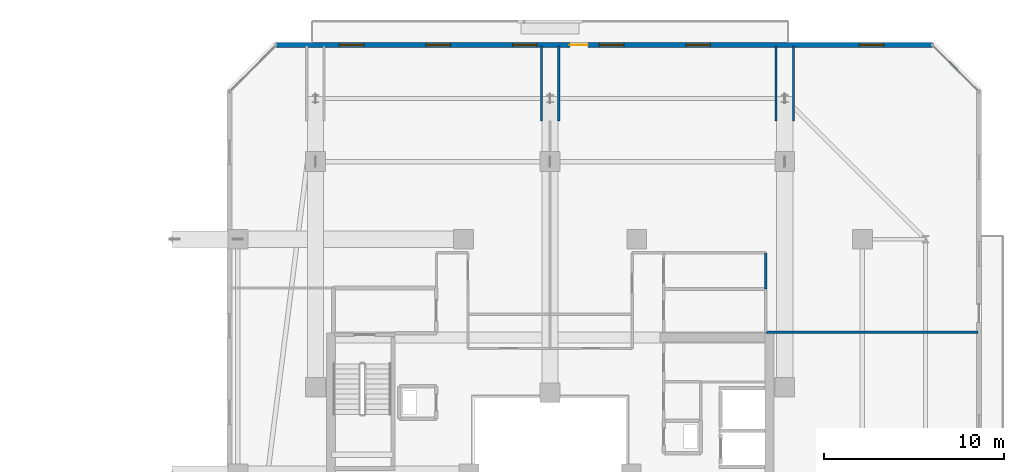
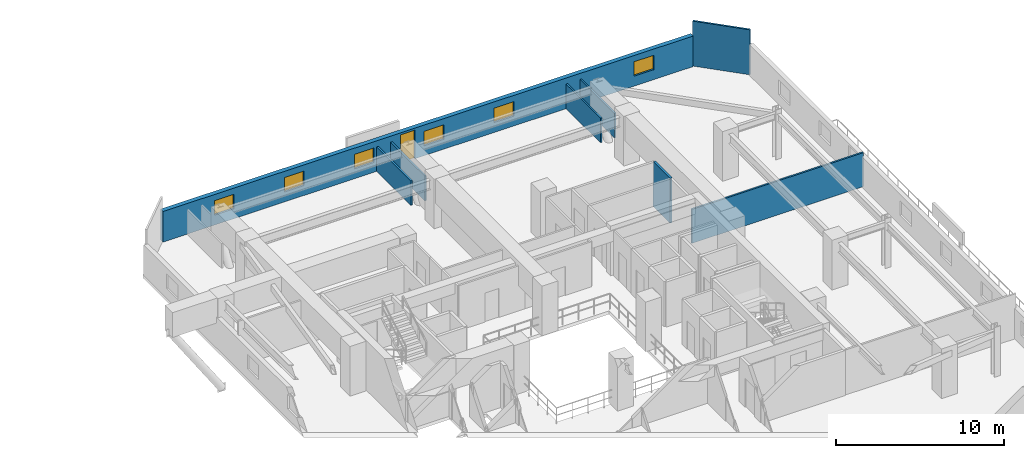
# One storey, part 29 of 36: 8 walls, 6 windows, 1 door, 7 openings.
"""IFC4 building model written with IfcOpenShell, lengths in metres."""

from ifc_helpers import new_model, si_unit, direction, frame, frame_2d, origin, place, context, subcontext, project, spatial, rectangle, extrude, material, layer, layer_set, type_object, element, fill, save


model = new_model("IFC4")

# Units and contexts
model_context = context("Model", 3, precision=1e-05, world=origin(), true_north=direction((0.0, 1.0)))
body_context = subcontext(model_context, "Body", "Model", "MODEL_VIEW")
ifc_project = project(units=[si_unit("LENGTHUNIT", "METRE"), si_unit("AREAUNIT", "SQUARE_METRE"), si_unit("VOLUMEUNIT", "CUBIC_METRE"), si_unit("PLANEANGLEUNIT", "RADIAN"), si_unit("MASSUNIT", "GRAM", prefix="KILO")], contexts=[model_context])

# Site, building, storey
site_placement = place(None, origin())
site = spatial("IfcSite", under=ifc_project, at=site_placement, CompositionType="ELEMENT")
building_placement = place(site_placement, origin())
building = spatial("IfcBuilding", under=site, at=building_placement, Name="Thornwick Lancets Civic Towers", CompositionType="ELEMENT")
storey_placement = place(building_placement, frame((0.0, 0.0, 170.699951171875)))
storey = spatial("IfcBuildingStorey", under=building, at=storey_placement, Name="L45", CompositionType="ELEMENT", Elevation=170.699951171875)

# Wall, openings, door, windows
ifc_material_1 = material(Name="Insulated russet terracotta rainscreen on concrete C40/50", Category="masonry")
ifc_layer_1 = layer(ifc_material_1, 0.300048828125, Name="Insulated russet terracotta rainscreen on concrete C40/50")
ifc_layer_set_1 = layer_set([ifc_layer_1], Name="Insulated russet terracotta rainscreen on concrete C40/50")
wall_type_1 = type_object("IfcWallType", Name="WALL_EXT_RUSSET_300", PredefinedType="STANDARD", material=ifc_layer_set_1)
wall_1_placement = place(storey_placement, frame((109.681396484375, 50.7646484375, 0.0), z_axis=(0.0, 0.0, 1.0), x_axis=(-1.0, 0.0, 0.0)))
wall_1 = element("IfcWall", 1, at=wall_1_placement, inside=storey, type_object=wall_type_1, Name="L45 Tower B Terracotta Facade Wall E4", PredefinedType="STANDARD", context=body_context, shape_type="SweptSolid", body=[
    extrude(rectangle(XDim=36.36279296875, YDim=0.300048828125, at=frame_2d((18.181396484375, 0.0))), origin(), (0.0, 0.0, 1.0), 2.219970703125),
])
opening_1_placement = place(wall_1_placement, frame((19.081298828125, 0.0, 0.0)))
opening_1 = element("IfcOpeningElement", 2, at=opening_1_placement, cuts=wall_1, Name="Opening D-BL-L45-BN", PredefinedType="OPENING", context=body_context, shape_type="SweptSolid", body=[
    extrude(rectangle(XDim=1.0, YDim=2.080078125, at=frame_2d((0.5, 1.0400390625))), frame((0.0, 0.16015625, 0.0), z_axis=(0.0, -1.0, 0.0), x_axis=(1.0, 0.0, 0.0)), (0.0, 0.0, 1.0), 0.320068359375),
])
opening_2_placement = place(wall_1_placement, frame((2.699951171875, 0.0, 0.719970703125)))
opening_2 = element("IfcOpeningElement", 3, at=opening_2_placement, cuts=wall_1, Name="Opening WL-03", PredefinedType="OPENING", context=body_context, shape_type="SweptSolid", body=[
    extrude(rectangle(XDim=1.35009765625, YDim=1.050048828125, at=frame_2d((0.675048828125, 0.52490234375))), frame((0.0, 0.16015625, 0.0), z_axis=(0.0, -1.0, 0.0), x_axis=(1.0, 0.0, 0.0)), (0.0, 0.0, 1.0), 0.320068359375),
])
opening_3_placement = place(wall_1_placement, frame((12.300048828125, 0.0, 0.719970703125)))
opening_3 = element("IfcOpeningElement", 4, at=opening_3_placement, cuts=wall_1, Name="Opening WL-03", PredefinedType="OPENING", context=body_context, shape_type="SweptSolid", body=[
    extrude(rectangle(XDim=1.35009765625, YDim=1.050048828125, at=frame_2d((0.675048828125, 0.52490234375))), frame((0.0, 0.16015625, 0.0), z_axis=(0.0, -1.0, 0.0), x_axis=(1.0, 0.0, 0.0)), (0.0, 0.0, 1.0), 0.320068359375),
])
opening_4_placement = place(wall_1_placement, frame((17.10009765625, 0.0, 0.719970703125)))
opening_4 = element("IfcOpeningElement", 5, at=opening_4_placement, cuts=wall_1, Name="Opening WL-03", PredefinedType="OPENING", context=body_context, shape_type="SweptSolid", body=[
    extrude(rectangle(XDim=1.35009765625, YDim=1.050048828125, at=frame_2d((0.675048828125, 0.52490234375))), frame((0.0, 0.16015625, 0.0), z_axis=(0.0, -1.0, 0.0), x_axis=(1.0, 0.0, 0.0)), (0.0, 0.0, 1.0), 0.320068359375),
])
opening_5_placement = place(wall_1_placement, frame((21.89990234375, 0.0, 0.719970703125)))
opening_5 = element("IfcOpeningElement", 6, at=opening_5_placement, cuts=wall_1, Name="Opening WL-03", PredefinedType="OPENING", context=body_context, shape_type="SweptSolid", body=[
    extrude(rectangle(XDim=1.35009765625, YDim=1.050048828125, at=frame_2d((0.675048828125, 0.52490234375))), frame((0.0, 0.16015625, 0.0), z_axis=(0.0, -1.0, 0.0), x_axis=(1.0, 0.0, 0.0)), (0.0, 0.0, 1.0), 0.320068359375),
])
opening_6_placement = place(wall_1_placement, frame((26.699951171875, 0.0, 0.719970703125)))
opening_6 = element("IfcOpeningElement", 7, at=opening_6_placement, cuts=wall_1, Name="Opening WL-03", PredefinedType="OPENING", context=body_context, shape_type="SweptSolid", body=[
    extrude(rectangle(XDim=1.35009765625, YDim=1.050048828125, at=frame_2d((0.675048828125, 0.52490234375))), frame((0.0, 0.16015625, 0.0), z_axis=(0.0, -1.0, 0.0), x_axis=(1.0, 0.0, 0.0)), (0.0, 0.0, 1.0), 0.320068359375),
])
opening_7_placement = place(wall_1_placement, frame((31.5, 0.0, 0.719970703125)))
opening_7 = element("IfcOpeningElement", 8, at=opening_7_placement, cuts=wall_1, Name="Opening WL-03", PredefinedType="OPENING", context=body_context, shape_type="SweptSolid", body=[
    extrude(rectangle(XDim=1.35009765625, YDim=1.050048828125, at=frame_2d((0.675048828125, 0.52490234375))), frame((0.0, 0.16015625, 0.0), z_axis=(0.0, -1.0, 0.0), x_axis=(1.0, 0.0, 0.0)), (0.0, 0.0, 1.0), 0.320068359375),
])
ifc_material_2 = material(Name="Thermally broken glazed loggia doorset")
door_type = type_object("IfcDoorType", Name="DOOR_BALC_1000", OperationType="NOTDEFINED", PredefinedType="DOOR", material=ifc_material_2)
door_placement = place(opening_1_placement, origin())
door = element("IfcDoor", 9, at=door_placement, inside=storey, type_object=door_type, Name="L45 Tower B Loggia Balcony Door N", OperationType="SINGLE_SWING_RIGHT", OverallHeight=2.080078125, OverallWidth=1.0, PredefinedType="DOOR", context=body_context, shape_type="SweptSolid", body=[
    extrude(rectangle(XDim=1.0, YDim=2.080078125, at=frame_2d((0.5, 1.0400390625))), frame((0.0, 0.02490234375, 0.0), z_axis=(0.0, -1.0, 0.0), x_axis=(1.0, 0.0, 0.0)), (0.0, 0.0, 1.0), 0.050048828125),
])
fill(opening_1, door)
ifc_material_3 = material(Name="Clear low-e double glazing clerestory lancet", Category="glass")
window_type = type_object("IfcWindowType", Name="WIN_LANCET_1350", PartitioningType="SINGLE_PANEL", PredefinedType="WINDOW", material=ifc_material_3)
window_1_placement = place(opening_2_placement, origin())
window_1 = element("IfcWindow", 10, at=window_1_placement, inside=storey, type_object=window_type, Name="L45 Tower B Staggered Lancet Window E4-1", OverallHeight=1.050048828125, OverallWidth=1.35009765625, PartitioningType="SINGLE_PANEL", PredefinedType="WINDOW", context=body_context, shape_type="SweptSolid", body=[
    extrude(rectangle(XDim=1.35009765625, YDim=1.050048828125, at=frame_2d((0.675048828125, 0.52490234375))), frame((0.0, 0.030029296875, 0.0), z_axis=(0.0, -1.0, 0.0), x_axis=(1.0, 0.0, 0.0)), (0.0, 0.0, 1.0), 0.06005859375),
])
fill(opening_2, window_1)
window_2_placement = place(opening_3_placement, origin())
window_2 = element("IfcWindow", 11, at=window_2_placement, inside=storey, type_object=window_type, Name="L45 Tower B Staggered Lancet Window E4-2", OverallHeight=1.050048828125, OverallWidth=1.35009765625, PartitioningType="SINGLE_PANEL", PredefinedType="WINDOW", context=body_context, shape_type="SweptSolid", body=[
    extrude(rectangle(XDim=1.35009765625, YDim=1.050048828125, at=frame_2d((0.675048828125, 0.52490234375))), frame((0.0, 0.030029296875, 0.0), z_axis=(0.0, -1.0, 0.0), x_axis=(1.0, 0.0, 0.0)), (0.0, 0.0, 1.0), 0.06005859375),
])
fill(opening_3, window_2)
window_3_placement = place(opening_4_placement, origin())
window_3 = element("IfcWindow", 12, at=window_3_placement, inside=storey, type_object=window_type, Name="L45 Tower B Staggered Lancet Window E4-3", OverallHeight=1.050048828125, OverallWidth=1.35009765625, PartitioningType="SINGLE_PANEL", PredefinedType="WINDOW", context=body_context, shape_type="SweptSolid", body=[
    extrude(rectangle(XDim=1.35009765625, YDim=1.050048828125, at=frame_2d((0.675048828125, 0.52490234375))), frame((0.0, 0.030029296875, 0.0), z_axis=(0.0, -1.0, 0.0), x_axis=(1.0, 0.0, 0.0)), (0.0, 0.0, 1.0), 0.06005859375),
])
fill(opening_4, window_3)
window_4_placement = place(opening_5_placement, origin())
window_4 = element("IfcWindow", 13, at=window_4_placement, inside=storey, type_object=window_type, Name="L45 Tower B Staggered Lancet Window E4-4", OverallHeight=1.050048828125, OverallWidth=1.35009765625, PartitioningType="SINGLE_PANEL", PredefinedType="WINDOW", context=body_context, shape_type="SweptSolid", body=[
    extrude(rectangle(XDim=1.35009765625, YDim=1.050048828125, at=frame_2d((0.675048828125, 0.52490234375))), frame((0.0, 0.030029296875, 0.0), z_axis=(0.0, -1.0, 0.0), x_axis=(1.0, 0.0, 0.0)), (0.0, 0.0, 1.0), 0.06005859375),
])
fill(opening_5, window_4)
window_5_placement = place(opening_6_placement, origin())
window_5 = element("IfcWindow", 14, at=window_5_placement, inside=storey, type_object=window_type, Name="L45 Tower B Staggered Lancet Window E4-5", OverallHeight=1.050048828125, OverallWidth=1.35009765625, PartitioningType="SINGLE_PANEL", PredefinedType="WINDOW", context=body_context, shape_type="SweptSolid", body=[
    extrude(rectangle(XDim=1.35009765625, YDim=1.050048828125, at=frame_2d((0.675048828125, 0.52490234375))), frame((0.0, 0.030029296875, 0.0), z_axis=(0.0, -1.0, 0.0), x_axis=(1.0, 0.0, 0.0)), (0.0, 0.0, 1.0), 0.06005859375),
])
fill(opening_6, window_5)
window_6_placement = place(opening_7_placement, origin())
window_6 = element("IfcWindow", 15, at=window_6_placement, inside=storey, type_object=window_type, Name="L45 Tower B Staggered Lancet Window E4-6", OverallHeight=1.050048828125, OverallWidth=1.35009765625, PartitioningType="SINGLE_PANEL", PredefinedType="WINDOW", context=body_context, shape_type="SweptSolid", body=[
    extrude(rectangle(XDim=1.35009765625, YDim=1.050048828125, at=frame_2d((0.675048828125, 0.52490234375))), frame((0.0, 0.030029296875, 0.0), z_axis=(0.0, -1.0, 0.0), x_axis=(1.0, 0.0, 0.0)), (0.0, 0.0, 1.0), 0.06005859375),
])
fill(opening_7, window_6)

# Walls
ifc_material_4 = material(Name="Acoustic gypsum board partition")
ifc_layer_2 = layer(ifc_material_4, 0.1201171875, Name="Acoustic gypsum board partition")
ifc_layer_set_2 = layer_set([ifc_layer_2], Name="Acoustic gypsum board partition")
wall_type_2 = type_object("IfcWallType", Name="WALL_PART_120", PredefinedType="PARTITIONING", material=ifc_layer_set_2)
for number, where, z_axis, x_axis, name in (
    (16, (88.97998046875, 46.5419921875, 0.0), (0.0, 0.0, 1.0), (0.0, 1.0, 0.0), "L45 Partition L45-B-E2 E9"),
    (17, (101.02001953125, 50.719970703125, 0.0), (0.0, 0.0, 1.0), (0.0, -1.0, 0.0), "L45 Partition L45-B-E2 E11"),
    (18, (101.97998046875, 46.5419921875, 0.0), (0.0, 0.0, 1.0), (0.0, 1.0, 0.0), "L45 Partition L45-B-E2 E13"),
):
    element("IfcWall", number, at=place(storey_placement, frame(where, z_axis=z_axis, x_axis=x_axis)), inside=storey, type_object=wall_type_2, Name=name, PredefinedType="PARTITIONING", context=body_context, shape_type="SweptSolid", body=[
        extrude(rectangle(XDim=4.177978515625, YDim=0.1201171875, at=frame_2d((2.0888671875, 0.0))), origin(), (0.0, 0.0, 1.0), 1.78515625),
    ])
wall_2_placement = place(storey_placement, frame((109.725341796875, 50.719970703125, 0.0), z_axis=(0.0, 0.0, 1.0), x_axis=(0.707106781187, -0.707106781187, 0.0)))
element("IfcWall", 19, at=wall_2_placement, inside=storey, type_object=wall_type_2, Name="L45 Partition L45-B-E2 E15", PredefinedType="PARTITIONING", context=body_context, shape_type="SweptSolid", body=[
    extrude(rectangle(XDim=3.52783203125, YDim=0.1201171875, at=frame_2d((1.763916015625, 0.0))), origin(), (0.0, 0.0, 1.0), 3.260009765625),
])
wall_3_placement = place(storey_placement, frame((112.219970703125, 34.85009765625, 0.0), z_axis=(0.0, 0.0, 1.0), x_axis=(-1.0, 0.0, 0.0)))
element("IfcWall", 20, at=wall_3_placement, inside=storey, type_object=wall_type_2, Name="L45 Partition L45-B-E2 E17", PredefinedType="PARTITIONING", context=body_context, shape_type="SweptSolid", body=[
    extrude(rectangle(XDim=11.77001953125, YDim=0.1201171875, at=frame_2d((5.885009765625, 0.0))), origin(), (0.0, 0.0, 1.0), 2.465087890625),
])
wall_4_placement = place(storey_placement, frame((88.02001953125, 50.719970703125, 0.0), z_axis=(0.0, 0.0, 1.0), x_axis=(0.0, -1.0, 0.0)))
element("IfcWall", 21, at=wall_4_placement, inside=storey, type_object=wall_type_2, Name="L45 Partition L45-B-E4 E14", PredefinedType="PARTITIONING", context=body_context, shape_type="SweptSolid", body=[
    extrude(rectangle(XDim=4.177978515625, YDim=0.1201171875, at=frame_2d((2.0888671875, 0.0))), origin(), (0.0, 0.0, 1.0), 1.78515625),
])
ifc_material_5 = material(Name="Twin-stud acoustic gypsum board")
ifc_layer_3 = layer(ifc_material_5, 0.14990234375, Name="Twin-stud acoustic gypsum board")
ifc_layer_set_3 = layer_set([ifc_layer_3], Name="Twin-stud acoustic gypsum board")
wall_type_3 = type_object("IfcWallType", Name="WALL_PART_150", PredefinedType="PARTITIONING", material=ifc_layer_set_3)
wall_5_placement = place(storey_placement, frame((100.449951171875, 39.25, 0.0), z_axis=(0.0, 0.0, 1.0), x_axis=(0.0, -1.0, 0.0)))
element("IfcWall", 22, at=wall_5_placement, inside=storey, type_object=wall_type_3, Name="L45 Partition L45-B-RECLAIM-L2 E3", PredefinedType="PARTITIONING", context=body_context, shape_type="SweptSolid", body=[
    extrude(rectangle(XDim=2.0, YDim=0.14990234375, at=frame_2d((1.0, 0.0))), origin(), (0.0, 0.0, 1.0), 3.260009765625),
])

save(model, "model.ifc")
